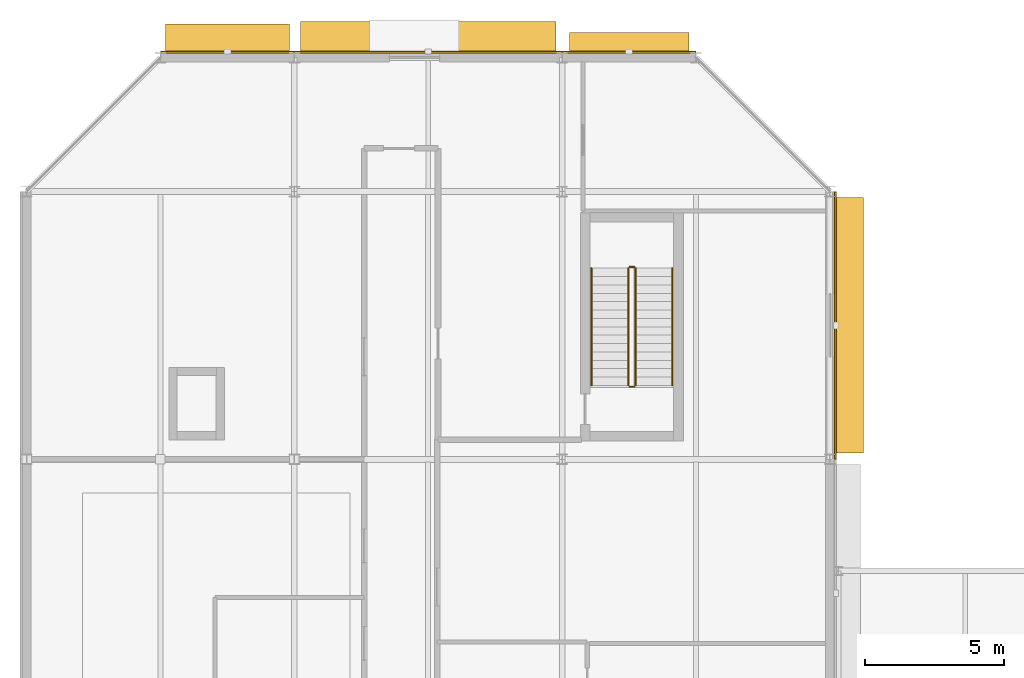
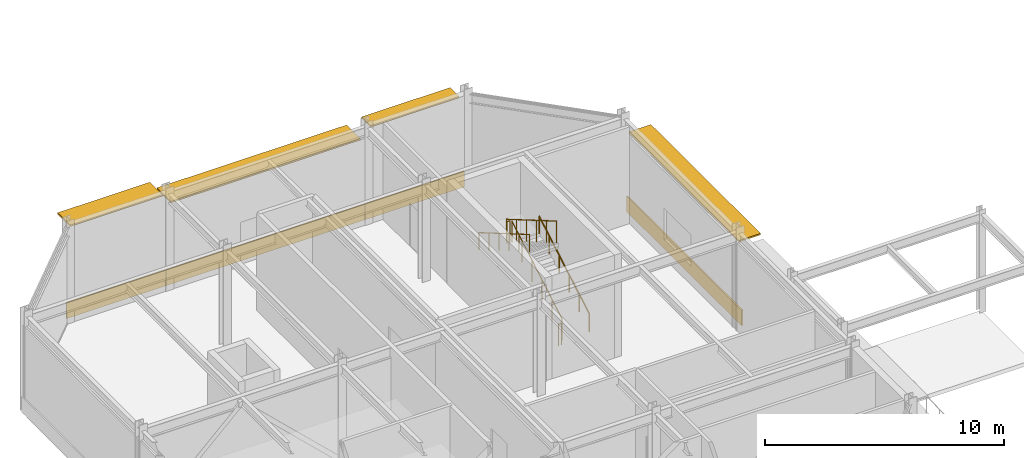
# One storey, part 157 of 168: 6 railings, 4 coverings, 4 shading devices.
"""IFC4 building model written with IfcOpenShell, lengths in metres."""

from ifc_helpers import new_model, si_unit, direction, frame, origin, origin_2d, place, context, subcontext, project, spatial, rectangle, circle, extrude, material, layer, layer_set, type_object, element, save


model = new_model("IFC4")

# Units and contexts
model_context = context("Model", 3, precision=1e-05, world=origin(), true_north=direction((0.0, 1.0)))
body_context = subcontext(model_context, "Body", "Model", "MODEL_VIEW")
ifc_project = project(units=[si_unit("LENGTHUNIT", "METRE"), si_unit("AREAUNIT", "SQUARE_METRE"), si_unit("VOLUMEUNIT", "CUBIC_METRE"), si_unit("PLANEANGLEUNIT", "RADIAN"), si_unit("MASSUNIT", "GRAM", prefix="KILO")], contexts=[model_context])

# Site, building, storey
site_placement = place(None, origin())
site = spatial("IfcSite", under=ifc_project, at=site_placement, CompositionType="ELEMENT")
building_placement = place(site_placement, origin())
building = spatial("IfcBuilding", under=site, at=building_placement, Name="Almandine Court Research Institute", CompositionType="ELEMENT")
storey_placement = place(building_placement, origin())
storey = spatial("IfcBuildingStorey", under=building, at=storey_placement, Name="L00", CompositionType="ELEMENT", Elevation=0.0)

# Coverings
ifc_material_1 = material(Name="Honed Andean Red-Buff Sandstone Cladding", Category="masonry")
ifc_layer_1 = layer(ifc_material_1, 0.06494140625)
ifc_layer_set_1 = layer_set([ifc_layer_1], Name="Honed Andean Red-Buff Sandstone Cladding")
covering_type = type_object("IfcCoveringType", Name="Cov-CLAD-SAND", PredefinedType="CLADDING", material=ifc_layer_set_1)
covering_1_placement = place(storey_placement, frame((13.199951171875, 117.79296875, 0.02001953125), z_axis=(0.0, 0.0, 1.0), x_axis=(1.0, 0.0, 0.0)))
element("IfcCovering", 1, at=covering_1_placement, inside=storey, type_object=covering_type, Name="L00 Facade Spandrel Cladding Band 37", PredefinedType="CLADDING", context=body_context, shape_type="SweptSolid", body=[
    extrude(rectangle(XDim=4.7919921875, YDim=0.06494140625, at=origin_2d()), origin(), (0.0, 0.0, 1.0), 0.800048828125),
])
covering_2_placement = place(storey_placement, frame((20.39990234375, 117.79296875, 0.02001953125), z_axis=(0.0, 0.0, 1.0), x_axis=(1.0, 0.0, 0.0)))
element("IfcCovering", 2, at=covering_2_placement, inside=storey, type_object=covering_type, Name="L00 Facade Spandrel Cladding Band 38", PredefinedType="CLADDING", context=body_context, shape_type="SweptSolid", body=[
    extrude(rectangle(XDim=9.592041015625, YDim=0.06494140625, at=origin_2d()), origin(), (0.0, 0.0, 1.0), 0.800048828125),
])
covering_3_placement = place(storey_placement, frame((27.60009765625, 117.79296875, 0.02001953125), z_axis=(0.0, 0.0, 1.0), x_axis=(1.0, 0.0, 0.0)))
element("IfcCovering", 3, at=covering_3_placement, inside=storey, type_object=covering_type, Name="L00 Facade Spandrel Cladding Band 39", PredefinedType="CLADDING", context=body_context, shape_type="SweptSolid", body=[
    extrude(rectangle(XDim=4.7919921875, YDim=0.06494140625, at=origin_2d()), origin(), (0.0, 0.0, 1.0), 0.800048828125),
])
covering_4_placement = place(storey_placement, frame((34.992919921875, 108.0, 0.02001953125), z_axis=(0.0, 0.0, 1.0), x_axis=(0.0, -1.0, 0.0)))
element("IfcCovering", 4, at=covering_4_placement, inside=storey, type_object=covering_type, Name="L00 Facade Spandrel Cladding Band 42", PredefinedType="CLADDING", context=body_context, shape_type="SweptSolid", body=[
    extrude(rectangle(XDim=9.592041015625, YDim=0.06494140625, at=origin_2d()), origin(), (0.0, 0.0, 1.0), 0.800048828125),
])

# Railings
ifc_material_2 = material(Name="Powder-Coated Steel Stair and Atrium Balustrade", Category="steel")
railing_type_1 = type_object("IfcRailingType", Name="Rail-GUARD-INT", PredefinedType="BALUSTRADE", material=ifc_material_2)
railing_1_placement = place(storey_placement, frame((27.830078125, 105.85009765625, 0.175048828125)))
element("IfcRailing", 5, at=railing_1_placement, inside=storey, type_object=railing_type_1, Name="L00 ST-06 stair guard 1", PredefinedType="BALUSTRADE", context=body_context, shape_type="SweptSolid", body=[
    extrude(circle(Radius=0.02392578125, at=origin_2d()), frame((0.0, 0.0, 1.09619140625), z_axis=(0.0, 0.863780722019, 0.50386790359), x_axis=(-1.0, 0.0, 0.0)), (0.0, 0.0, 1.0), 4.8623046875),
    extrude(circle(Radius=0.02099609375, at=origin_2d()), origin(), (0.0, 0.0, 1.0), 1.072021484375),
    extrude(circle(Radius=0.02099609375, at=origin_2d()), frame((0.0, 0.840087890625, 0.489990234375)), (0.0, 0.0, 1.0), 1.072021484375),
    extrude(circle(Radius=0.02099609375, at=origin_2d()), frame((0.0, 1.679931640625, 0.97998046875)), (0.0, 0.0, 1.0), 1.072021484375),
    extrude(circle(Radius=0.02099609375, at=origin_2d()), frame((0.0, 2.52001953125, 1.469970703125)), (0.0, 0.0, 1.0), 1.072021484375),
    extrude(circle(Radius=0.02099609375, at=origin_2d()), frame((0.0, 3.35986328125, 1.9599609375)), (0.0, 0.0, 1.0), 1.072021484375),
    extrude(circle(Radius=0.02099609375, at=origin_2d()), frame((0.0, 4.199951171875, 2.449951171875)), (0.0, 0.0, 1.0), 1.072021484375),
])
railing_2_placement = place(storey_placement, frame((27.780029296875, 110.10009765625, 2.625)))
element("IfcRailing", 6, at=railing_2_placement, inside=storey, type_object=railing_type_1, Name="L00 ST-06 stair guard 2", PredefinedType="BALUSTRADE", context=body_context, shape_type="SweptSolid", body=[
    extrude(circle(Radius=0.02392578125, at=origin_2d()), frame((0.0, 0.0, 1.09619140625), z_axis=(-1.0, 0.0, 0.0), x_axis=(0.0, -1.0, 0.0)), (0.0, 0.0, 1.0), 0.159912109375),
    extrude(circle(Radius=0.02099609375, at=origin_2d()), origin(), (0.0, 0.0, 1.0), 1.072021484375),
    extrude(circle(Radius=0.02099609375, at=origin_2d()), frame((-0.159912109375, 0.0, 0.0)), (0.0, 0.0, 1.0), 1.072021484375),
])
railing_3_placement = place(storey_placement, frame((27.570068359375, 110.050048828125, 2.800048828125)))
element("IfcRailing", 7, at=railing_3_placement, inside=storey, type_object=railing_type_1, Name="L00 ST-06 stair guard 3", PredefinedType="BALUSTRADE", context=body_context, shape_type="SweptSolid", body=[
    extrude(circle(Radius=0.02392578125, at=origin_2d()), frame((0.0, 0.0, 1.09619140625), z_axis=(0.0, -0.863780722019, 0.50386790359), x_axis=(1.0, 0.0, 0.0)), (0.0, 0.0, 1.0), 4.8623046875),
    extrude(circle(Radius=0.02099609375, at=origin_2d()), origin(), (0.0, 0.0, 1.0), 1.072021484375),
    extrude(circle(Radius=0.02099609375, at=origin_2d()), frame((0.0, -0.840087890625, 0.489990234375)), (0.0, 0.0, 1.0), 1.072021484375),
    extrude(circle(Radius=0.02099609375, at=origin_2d()), frame((0.0, -1.679931640625, 0.97998046875)), (0.0, 0.0, 1.0), 1.072021484375),
    extrude(circle(Radius=0.02099609375, at=origin_2d()), frame((0.0, -2.52001953125, 1.469970703125)), (0.0, 0.0, 1.0), 1.072021484375),
    extrude(circle(Radius=0.02099609375, at=origin_2d()), frame((0.0, -3.35986328125, 1.9599609375)), (0.0, 0.0, 1.0), 1.072021484375),
    extrude(circle(Radius=0.02099609375, at=origin_2d()), frame((0.0, -4.199951171875, 2.449951171875)), (0.0, 0.0, 1.0), 1.072021484375),
])
railing_4_placement = place(storey_placement, frame((27.780029296875, 105.800048828125, 0.0)))
element("IfcRailing", 8, at=railing_4_placement, inside=storey, type_object=railing_type_1, Name="L00 ST-06 stair guard 4", PredefinedType="BALUSTRADE", context=body_context, shape_type="SweptSolid", body=[
    extrude(circle(Radius=0.02392578125, at=origin_2d()), frame((0.0, 0.0, 1.09619140625), z_axis=(-1.0, 0.0, 0.0), x_axis=(0.0, -1.0, 0.0)), (0.0, 0.0, 1.0), 0.159912109375),
    extrude(circle(Radius=0.02099609375, at=origin_2d()), origin(), (0.0, 0.0, 1.0), 1.072021484375),
    extrude(circle(Radius=0.02099609375, at=origin_2d()), frame((-0.159912109375, 0.0, 0.0)), (0.0, 0.0, 1.0), 1.072021484375),
])
ifc_material_3 = material(Name="Brushed Stainless Steel Wall Handrail", Category="steel")
railing_type_2 = type_object("IfcRailingType", Name="Rail-HAND-INT", PredefinedType="HANDRAIL", material=ifc_material_3)
railing_5_placement = place(storey_placement, frame((29.14990234375, 105.85009765625, 0.175048828125)))
element("IfcRailing", 9, at=railing_5_placement, inside=storey, type_object=railing_type_2, Name="L00 ST-06 stair handrail 1", PredefinedType="HANDRAIL", context=body_context, shape_type="SweptSolid", body=[
    extrude(circle(Radius=0.02392578125, at=origin_2d()), frame((0.0, 0.0, 0.8759765625), z_axis=(0.0, 0.863780722019, 0.50386790359), x_axis=(-1.0, 0.0, 0.0)), (0.0, 0.0, 1.0), 4.8623046875),
    extrude(circle(Radius=0.02099609375, at=origin_2d()), origin(), (0.0, 0.0, 1.0), 0.851806640625),
    extrude(circle(Radius=0.02099609375, at=origin_2d()), frame((0.0, 0.840087890625, 0.489990234375)), (0.0, 0.0, 1.0), 0.851806640625),
    extrude(circle(Radius=0.02099609375, at=origin_2d()), frame((0.0, 1.679931640625, 0.97998046875)), (0.0, 0.0, 1.0), 0.851806640625),
    extrude(circle(Radius=0.02099609375, at=origin_2d()), frame((0.0, 2.52001953125, 1.469970703125)), (0.0, 0.0, 1.0), 0.851806640625),
    extrude(circle(Radius=0.02099609375, at=origin_2d()), frame((0.0, 3.35986328125, 1.9599609375)), (0.0, 0.0, 1.0), 0.851806640625),
    extrude(circle(Radius=0.02099609375, at=origin_2d()), frame((0.0, 4.199951171875, 2.449951171875)), (0.0, 0.0, 1.0), 0.851806640625),
])
railing_6_placement = place(storey_placement, frame((26.25, 110.050048828125, 2.800048828125)))
element("IfcRailing", 10, at=railing_6_placement, inside=storey, type_object=railing_type_2, Name="L00 ST-06 stair handrail 2", PredefinedType="HANDRAIL", context=body_context, shape_type="SweptSolid", body=[
    extrude(circle(Radius=0.02392578125, at=origin_2d()), frame((0.0, 0.0, 0.8759765625), z_axis=(0.0, -0.863780722019, 0.50386790359), x_axis=(1.0, 0.0, 0.0)), (0.0, 0.0, 1.0), 4.8623046875),
    extrude(circle(Radius=0.02099609375, at=origin_2d()), origin(), (0.0, 0.0, 1.0), 0.851806640625),
    extrude(circle(Radius=0.02099609375, at=origin_2d()), frame((0.0, -0.840087890625, 0.489990234375)), (0.0, 0.0, 1.0), 0.851806640625),
    extrude(circle(Radius=0.02099609375, at=origin_2d()), frame((0.0, -1.679931640625, 0.97998046875)), (0.0, 0.0, 1.0), 0.851806640625),
    extrude(circle(Radius=0.02099609375, at=origin_2d()), frame((0.0, -2.52001953125, 1.469970703125)), (0.0, 0.0, 1.0), 0.851806640625),
    extrude(circle(Radius=0.02099609375, at=origin_2d()), frame((0.0, -3.35986328125, 1.9599609375)), (0.0, 0.0, 1.0), 0.851806640625),
    extrude(circle(Radius=0.02099609375, at=origin_2d()), frame((0.0, -4.199951171875, 2.449951171875)), (0.0, 0.0, 1.0), 0.851806640625),
])

# Shading devices
ifc_material_4 = material(Name="Precast GFRC Chhajja Sunshade and Acoustic Louvre", Category="concrete")
ifc_layer_2 = layer(ifc_material_4, 0.080078125)
ifc_layer_set_2 = layer_set([ifc_layer_2], Name="Precast GFRC Chhajja Sunshade and Acoustic Louvre")
shading_device_type_1 = type_object("IfcShadingDeviceType", Name="Shd-SD-07", PredefinedType="AWNING", material=ifc_layer_set_2)
shading_device_1_placement = place(storey_placement, frame((13.199951171875, 118.277099609375, 4.64990234375), z_axis=(0.0, 0.0, 1.0), x_axis=(1.0, 0.0, 0.0)))
element("IfcShadingDevice", 11, at=shading_device_1_placement, inside=storey, type_object=shading_device_type_1, Name="L00 Projecting Chhajja Sunshade 12", PredefinedType="AWNING", context=body_context, shape_type="SweptSolid", body=[
    extrude(rectangle(XDim=4.44189453125, YDim=1.050048828125, at=origin_2d()), origin(), (0.0, 0.0, 1.0), 0.080078125),
])
ifc_layer_3 = layer(ifc_material_4, 0.080078125)
ifc_layer_set_3 = layer_set([ifc_layer_3], Name="Precast GFRC Chhajja Sunshade and Acoustic Louvre")
shading_device_type_2 = type_object("IfcShadingDeviceType", Name="Shd-SD-08", PredefinedType="AWNING", material=ifc_layer_set_3)
shading_device_2_placement = place(storey_placement, frame((20.39990234375, 118.327880859375, 4.1640625), z_axis=(0.0, 0.0, 1.0), x_axis=(1.0, 0.0, 0.0)))
element("IfcShadingDevice", 12, at=shading_device_2_placement, inside=storey, type_object=shading_device_type_2, Name="L00 Projecting Chhajja Sunshade 13", PredefinedType="AWNING", context=body_context, shape_type="SweptSolid", body=[
    extrude(rectangle(XDim=9.162109375, YDim=1.14990234375, at=origin_2d()), origin(), (0.0, 0.0, 1.0), 0.080078125),
])
ifc_layer_4 = layer(ifc_material_4, 0.080078125)
ifc_layer_set_4 = layer_set([ifc_layer_4], Name="Precast GFRC Chhajja Sunshade and Acoustic Louvre")
shading_device_type_3 = type_object("IfcShadingDeviceType", Name="Shd-SD-09", PredefinedType="AWNING", material=ifc_layer_set_4)
shading_device_3_placement = place(storey_placement, frame((27.60009765625, 118.126953125, 4.64990234375), z_axis=(0.0, 0.0, 1.0), x_axis=(1.0, 0.0, 0.0)))
element("IfcShadingDevice", 13, at=shading_device_3_placement, inside=storey, type_object=shading_device_type_3, Name="L00 Projecting Chhajja Sunshade 14", PredefinedType="AWNING", context=body_context, shape_type="SweptSolid", body=[
    extrude(rectangle(XDim=4.281982421875, YDim=0.75, at=origin_2d()), origin(), (0.0, 0.0, 1.0), 0.080078125),
])
ifc_layer_5 = layer(ifc_material_4, 0.080078125)
ifc_layer_set_5 = layer_set([ifc_layer_5], Name="Precast GFRC Chhajja Sunshade and Acoustic Louvre")
shading_device_type_4 = type_object("IfcShadingDeviceType", Name="Shd-SD-12", PredefinedType="AWNING", material=ifc_layer_set_5)
shading_device_4_placement = place(storey_placement, frame((35.47705078125, 108.0, 4.1640625), z_axis=(0.0, 0.0, 1.0), x_axis=(0.0, -1.0, 0.0)))
element("IfcShadingDevice", 14, at=shading_device_4_placement, inside=storey, type_object=shading_device_type_4, Name="L00 Projecting Chhajja Sunshade 17", PredefinedType="AWNING", context=body_context, shape_type="SweptSolid", body=[
    extrude(rectangle(XDim=9.162109375, YDim=1.050048828125, at=origin_2d()), origin(), (0.0, 0.0, 1.0), 0.080078125),
])

save(model, "model.ifc")
